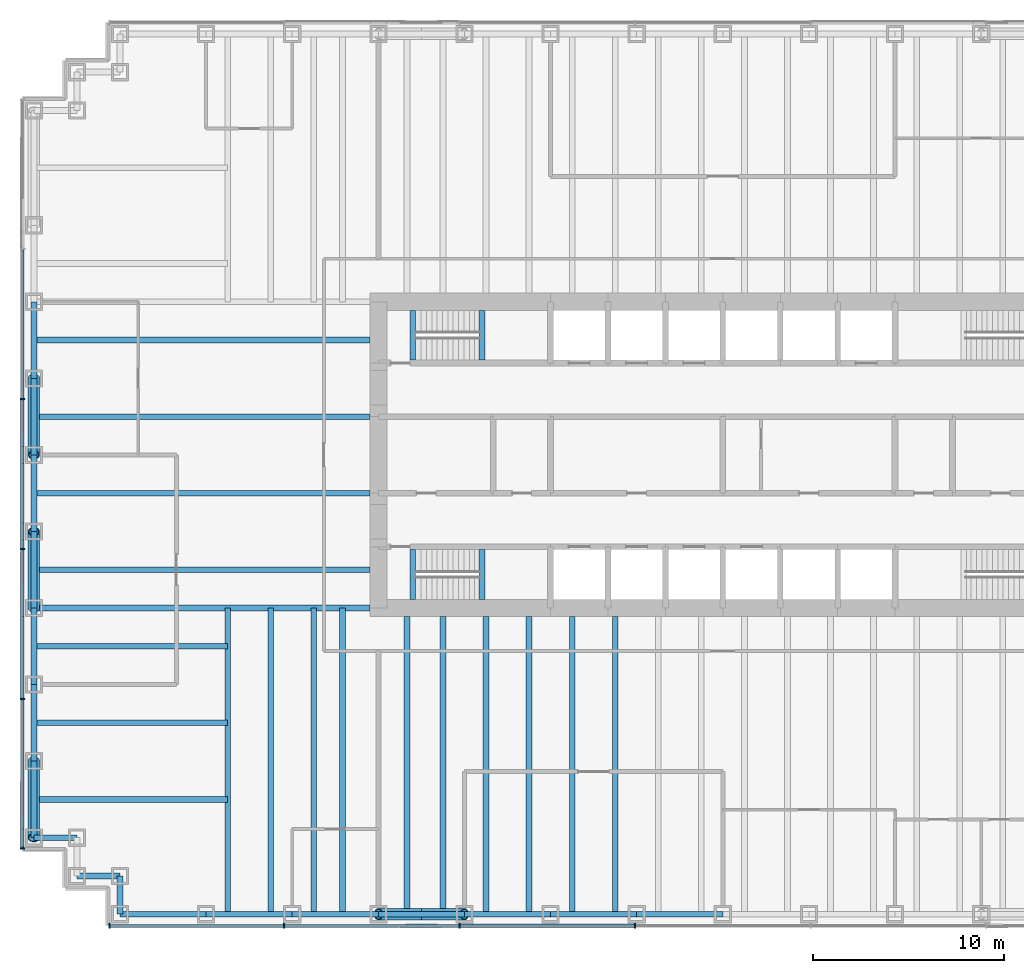
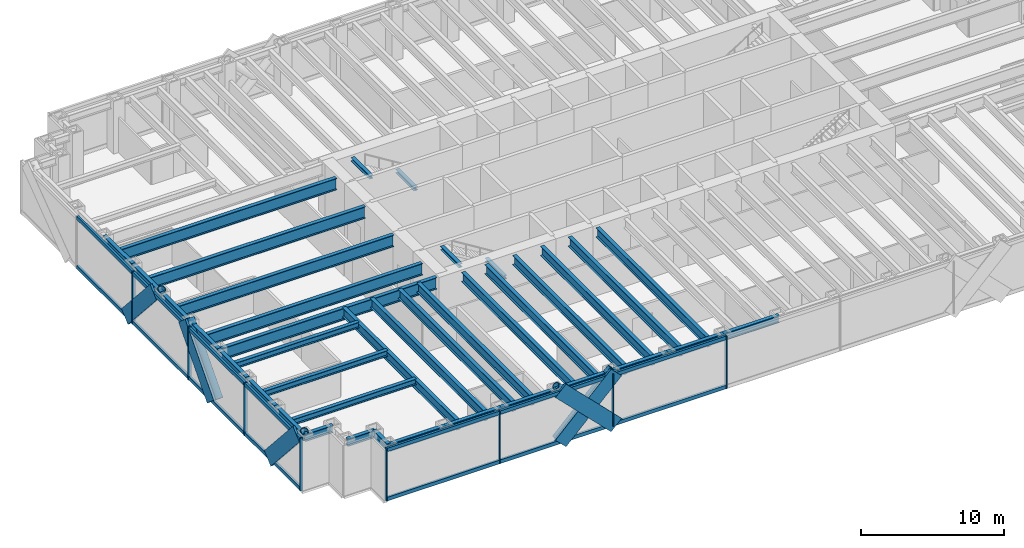
# One storey, part 2 of 13: 39 beams, 32 members, 2 elements without a shape of their own.
"""IFC4 building model written with IfcOpenShell, lengths in metres."""

from ifc_helpers import new_model, si_unit, direction, frame, origin, origin_2d, place, context, subcontext, project, spatial, rectangle, hollow_circle, i_section, extrude, material, material_profile, profile_set, type_object, element, aggregate, save


model = new_model("IFC4")

# Units and contexts
model_context = context("Model", 3, precision=1e-05, world=origin(), true_north=direction((0.0, 1.0)))
body_context = subcontext(model_context, "Body", "Model", "MODEL_VIEW")
ifc_project = project(units=[si_unit("LENGTHUNIT", "METRE"), si_unit("AREAUNIT", "SQUARE_METRE"), si_unit("VOLUMEUNIT", "CUBIC_METRE"), si_unit("PLANEANGLEUNIT", "RADIAN"), si_unit("MASSUNIT", "GRAM", prefix="KILO")], contexts=[model_context])

# Site, building, storey
site_placement = place(None, origin())
site = spatial("IfcSite", under=ifc_project, at=site_placement, CompositionType="ELEMENT")
building_placement = place(site_placement, origin())
building = spatial("IfcBuilding", under=site, at=building_placement, Name="Rheinbord Bourse Tower", CompositionType="ELEMENT")
storey_placement = place(building_placement, frame((0.0, 0.0, 77.0)))
storey = spatial("IfcBuildingStorey", under=building, at=storey_placement, Name="L16", CompositionType="ELEMENT", Elevation=77.0)

# Curtain wall, members
ifc_material_1 = material(Name="Dark glass and black aluminium", Category="aluminium")
curtain_wall_type = type_object("IfcCurtainWallType", Name="CW1 DARK GLASS CURTAIN WALL", PredefinedType="USERDEFINED", material=ifc_material_1)
curtain_wall_1_placement = place(storey_placement, origin())
curtain_wall_1 = element("IfcCurtainWall", 1, at=curtain_wall_1_placement, inside=storey, type_object=curtain_wall_type, Name="Curtain wall CW1 S L16", ObjectType="UNITISED CURTAIN WALL", PredefinedType="USERDEFINED")
ifc_material_2 = material(Name="Black anodised aluminium", Category="aluminium")
ifc_material_profile_1 = material_profile(ifc_material_2, rectangle(XDim=0.179931640625, YDim=1.2099609375, at=origin_2d()), Name="CW1 DIAGONAL MULLION 1210x180")
ifc_profile_set_1 = profile_set([ifc_material_profile_1], Name="Black anodised aluminium")
member_type_1 = type_object("IfcMemberType", Name="CW1 BLACK DIAGONAL MULLION", PredefinedType="USERDEFINED", material=ifc_profile_set_1)
member_1_placement = place(storey_placement, frame((18.0, -0.60009765625, 0.0), z_axis=(0.707106781187, 0.0, 0.707106781187), x_axis=(0.0, 1.0, 0.0)))
member_1 = element("IfcMember", 2, at=member_1_placement, type_object=member_type_1, Name="CW1 diagonal mullion b", ObjectType="DIAGONAL MULLION", PredefinedType="USERDEFINED", context=body_context, shape_type="SweptSolid", body=[
    extrude(rectangle(XDim=0.179931640625, YDim=1.2099609375, at=origin_2d()), origin(), (0.0, 0.0, 1.0), 6.364013671875),
])
member_2_placement = place(storey_placement, frame((22.5, -0.60009765625, 0.0), z_axis=(-0.707106781187, 0.0, 0.707106781187), x_axis=(0.0, -1.0, 0.0)))
member_2 = element("IfcMember", 3, at=member_2_placement, type_object=member_type_1, Name="CW1 diagonal mullion c", ObjectType="DIAGONAL MULLION", PredefinedType="USERDEFINED", context=body_context, shape_type="SweptSolid", body=[
    extrude(rectangle(XDim=0.179931640625, YDim=1.2099609375, at=origin_2d()), origin(), (0.0, 0.0, 1.0), 6.364013671875),
])

curtain_wall_2_placement = place(storey_placement, origin())
curtain_wall_2 = element("IfcCurtainWall", 4, at=curtain_wall_2_placement, inside=storey, type_object=curtain_wall_type, Name="Curtain wall CW1 W L16", ObjectType="UNITISED CURTAIN WALL", PredefinedType="USERDEFINED")
member_3_placement = place(storey_placement, frame((-0.60009765625, 8.0, 0.0), z_axis=(0.0, -0.66436383883, 0.747409318684), x_axis=(1.0, 0.0, 0.0)))
member_3 = element("IfcMember", 5, at=member_3_placement, type_object=member_type_1, Name="CW1 diagonal mullion a", ObjectType="DIAGONAL MULLION", PredefinedType="USERDEFINED", context=body_context, shape_type="SweptSolid", body=[
    extrude(rectangle(XDim=0.179931640625, YDim=1.2099609375, at=origin_2d()), origin(), (0.0, 0.0, 1.0), 6.020751953125),
])
member_4_placement = place(storey_placement, frame((-0.60009765625, 16.0, 0.0), z_axis=(0.0, 0.66436383883, 0.747409318684), x_axis=(-1.0, 0.0, 0.0)))
member_4 = element("IfcMember", 6, at=member_4_placement, type_object=member_type_1, Name="CW1 diagonal mullion c", ObjectType="DIAGONAL MULLION", PredefinedType="USERDEFINED", context=body_context, shape_type="SweptSolid", body=[
    extrude(rectangle(XDim=0.179931640625, YDim=1.2099609375, at=origin_2d()), origin(), (0.0, 0.0, 1.0), 6.020751953125),
])
member_5_placement = place(storey_placement, frame((-0.60009765625, 28.0, 0.0), z_axis=(0.0, -0.66436383883, 0.747409318684), x_axis=(1.0, 0.0, 0.0)))
member_5 = element("IfcMember", 7, at=member_5_placement, type_object=member_type_1, Name="CW1 diagonal mullion d", ObjectType="DIAGONAL MULLION", PredefinedType="USERDEFINED", context=body_context, shape_type="SweptSolid", body=[
    extrude(rectangle(XDim=0.179931640625, YDim=1.2099609375, at=origin_2d()), origin(), (0.0, 0.0, 1.0), 6.020751953125),
])

# Member
ifc_material_3 = material(Name="Black anodised aluminium", Category="aluminium")
ifc_material_profile_2 = material_profile(ifc_material_3, rectangle(XDim=0.25, YDim=0.080078125, at=origin_2d()), Name="CW1 MULLION 80x250")
ifc_profile_set_2 = profile_set([ifc_material_profile_2], Name="Black anodised aluminium")
member_type_2 = type_object("IfcMemberType", Name="CW1 BLACK MULLION", PredefinedType="MULLION", material=ifc_profile_set_2)
member_6_placement = place(storey_placement, frame((3.93994140625, -0.60009765625, 0.0), z_axis=(0.0, 0.0, 1.0), x_axis=(0.0, 1.0, 0.0)))
member_6 = element("IfcMember", 8, at=member_6_placement, type_object=member_type_2, Name="CW1 mullion 1", PredefinedType="MULLION", context=body_context, shape_type="SweptSolid", body=[
    extrude(rectangle(XDim=0.25, YDim=0.080078125, at=origin_2d()), origin(), (0.0, 0.0, 1.0), 4.5),
])

member_7_placement = place(storey_placement, frame((13.071533203125, -0.60009765625, 0.0), z_axis=(0.0, 0.0, 1.0), x_axis=(0.0, 1.0, 0.0)))
member_7 = element("IfcMember", 9, at=member_7_placement, type_object=member_type_2, Name="CW1 mullion 2", PredefinedType="MULLION", context=body_context, shape_type="SweptSolid", body=[
    extrude(rectangle(XDim=0.25, YDim=0.080078125, at=origin_2d()), origin(), (0.0, 0.0, 1.0), 4.5),
])

member_8_placement = place(storey_placement, frame((22.242919921875, -0.60009765625, 0.0), z_axis=(0.0, 0.0, 1.0), x_axis=(0.0, 1.0, 0.0)))
member_8 = element("IfcMember", 10, at=member_8_placement, type_object=member_type_2, Name="CW1 mullion 3", PredefinedType="MULLION", context=body_context, shape_type="SweptSolid", body=[
    extrude(rectangle(XDim=0.25, YDim=0.080078125, at=origin_2d()), origin(), (0.0, 0.0, 1.0), 4.5),
])

member_9_placement = place(storey_placement, frame((31.414306640625, -0.60009765625, 0.0), z_axis=(0.0, 0.0, 1.0), x_axis=(0.0, 1.0, 0.0)))
member_9 = element("IfcMember", 11, at=member_9_placement, type_object=member_type_2, Name="CW1 mullion 4", PredefinedType="MULLION", context=body_context, shape_type="SweptSolid", body=[
    extrude(rectangle(XDim=0.25, YDim=0.080078125, at=origin_2d()), origin(), (0.0, 0.0, 1.0), 4.5),
])

member_10_placement = place(storey_placement, frame((-0.60009765625, 26.919921875, 0.0), z_axis=(0.0, 0.0, 1.0), x_axis=(1.0, 0.0, 0.0)))
member_10 = element("IfcMember", 12, at=member_10_placement, type_object=member_type_2, Name="CW1 mullion 3", PredefinedType="MULLION", context=body_context, shape_type="SweptSolid", body=[
    extrude(rectangle(XDim=0.25, YDim=0.080078125, at=origin_2d()), origin(), (0.0, 0.0, 1.0), 4.5),
])

member_11_placement = place(storey_placement, frame((-0.60009765625, 19.080078125, 0.0), z_axis=(0.0, 0.0, 1.0), x_axis=(1.0, 0.0, 0.0)))
member_11 = element("IfcMember", 13, at=member_11_placement, type_object=member_type_2, Name="CW1 mullion 4", PredefinedType="MULLION", context=body_context, shape_type="SweptSolid", body=[
    extrude(rectangle(XDim=0.25, YDim=0.080078125, at=origin_2d()), origin(), (0.0, 0.0, 1.0), 4.5),
])

member_12_placement = place(storey_placement, frame((-0.60009765625, 11.239990234375, 0.0), z_axis=(0.0, 0.0, 1.0), x_axis=(1.0, 0.0, 0.0)))
member_12 = element("IfcMember", 14, at=member_12_placement, type_object=member_type_2, Name="CW1 mullion 5", PredefinedType="MULLION", context=body_context, shape_type="SweptSolid", body=[
    extrude(rectangle(XDim=0.25, YDim=0.080078125, at=origin_2d()), origin(), (0.0, 0.0, 1.0), 4.5),
])

member_13_placement = place(storey_placement, frame((-0.60009765625, 3.43994140625, 0.0), z_axis=(0.0, 0.0, 1.0), x_axis=(1.0, 0.0, 0.0)))
member_13 = element("IfcMember", 15, at=member_13_placement, type_object=member_type_2, Name="CW1 mullion 6", PredefinedType="MULLION", context=body_context, shape_type="SweptSolid", body=[
    extrude(rectangle(XDim=0.25, YDim=0.080078125, at=origin_2d()), origin(), (0.0, 0.0, 1.0), 4.5),
])

ifc_material_4 = material(Name="Black anodised aluminium", Category="aluminium")
ifc_material_profile_3 = material_profile(ifc_material_4, rectangle(XDim=0.179931640625, YDim=0.300048828125, at=origin_2d()), Name="CW1 TRANSOM 300x180")
ifc_profile_set_3 = profile_set([ifc_material_profile_3], Name="Black anodised aluminium")
member_type_3 = type_object("IfcMemberType", Name="CW1 BLACK TRANSOM", PredefinedType="USERDEFINED", material=ifc_profile_set_3)
member_14_placement = place(storey_placement, frame((3.97998046875, -0.60009765625, 0.14990234375), z_axis=(1.0, 0.0, 0.0), x_axis=(0.0, 1.0, 0.0)))
member_14 = element("IfcMember", 16, at=member_14_placement, type_object=member_type_3, Name="CW1 transom 1.1", ObjectType="TRANSOM", PredefinedType="USERDEFINED", context=body_context, shape_type="SweptSolid", body=[
    extrude(rectangle(XDim=0.179931640625, YDim=0.300048828125, at=origin_2d()), origin(), (0.0, 0.0, 1.0), 9.051513671875),
])

member_15_placement = place(storey_placement, frame((3.97998046875, -0.60009765625, 4.35009765625), z_axis=(1.0, 0.0, 0.0), x_axis=(0.0, 1.0, 0.0)))
member_15 = element("IfcMember", 17, at=member_15_placement, type_object=member_type_3, Name="CW1 transom 1.2", ObjectType="TRANSOM", PredefinedType="USERDEFINED", context=body_context, shape_type="SweptSolid", body=[
    extrude(rectangle(XDim=0.179931640625, YDim=0.300048828125, at=origin_2d()), origin(), (0.0, 0.0, 1.0), 9.051513671875),
])

member_16_placement = place(storey_placement, frame((13.111328125, -0.60009765625, 0.14990234375), z_axis=(1.0, 0.0, 0.0), x_axis=(0.0, 1.0, 0.0)))
member_16 = element("IfcMember", 18, at=member_16_placement, type_object=member_type_3, Name="CW1 transom 2.1", ObjectType="TRANSOM", PredefinedType="USERDEFINED", context=body_context, shape_type="SweptSolid", body=[
    extrude(rectangle(XDim=0.179931640625, YDim=0.300048828125, at=origin_2d()), origin(), (0.0, 0.0, 1.0), 9.091552734375),
])

member_17_placement = place(storey_placement, frame((13.111328125, -0.60009765625, 4.35009765625), z_axis=(1.0, 0.0, 0.0), x_axis=(0.0, 1.0, 0.0)))
member_17 = element("IfcMember", 19, at=member_17_placement, type_object=member_type_3, Name="CW1 transom 2.2", ObjectType="TRANSOM", PredefinedType="USERDEFINED", context=body_context, shape_type="SweptSolid", body=[
    extrude(rectangle(XDim=0.179931640625, YDim=0.300048828125, at=origin_2d()), origin(), (0.0, 0.0, 1.0), 9.091552734375),
])

member_18_placement = place(storey_placement, frame((22.282958984375, -0.60009765625, 0.14990234375), z_axis=(1.0, 0.0, 0.0), x_axis=(0.0, 1.0, 0.0)))
member_18 = element("IfcMember", 20, at=member_18_placement, type_object=member_type_3, Name="CW1 transom 3.1", ObjectType="TRANSOM", PredefinedType="USERDEFINED", context=body_context, shape_type="SweptSolid", body=[
    extrude(rectangle(XDim=0.179931640625, YDim=0.300048828125, at=origin_2d()), origin(), (0.0, 0.0, 1.0), 9.09130859375),
])

member_19_placement = place(storey_placement, frame((22.282958984375, -0.60009765625, 4.35009765625), z_axis=(1.0, 0.0, 0.0), x_axis=(0.0, 1.0, 0.0)))
member_19 = element("IfcMember", 21, at=member_19_placement, type_object=member_type_3, Name="CW1 transom 3.2", ObjectType="TRANSOM", PredefinedType="USERDEFINED", context=body_context, shape_type="SweptSolid", body=[
    extrude(rectangle(XDim=0.179931640625, YDim=0.300048828125, at=origin_2d()), origin(), (0.0, 0.0, 1.0), 9.09130859375),
])

aggregate(curtain_wall_1, [member_6, member_7, member_8, member_9, member_14, member_15, member_16, member_17, member_18, member_19, member_1, member_2])

member_20_placement = place(storey_placement, frame((-0.60009765625, 34.719970703125, 0.14990234375), z_axis=(0.0, -1.0, 0.0), x_axis=(1.0, 0.0, 0.0)))
member_20 = element("IfcMember", 22, at=member_20_placement, type_object=member_type_3, Name="CW1 transom 2.1", ObjectType="TRANSOM", PredefinedType="USERDEFINED", context=body_context, shape_type="SweptSolid", body=[
    extrude(rectangle(XDim=0.179931640625, YDim=0.300048828125, at=origin_2d()), origin(), (0.0, 0.0, 1.0), 7.760009765625),
])

member_21_placement = place(storey_placement, frame((-0.60009765625, 34.719970703125, 4.35009765625), z_axis=(0.0, -1.0, 0.0), x_axis=(1.0, 0.0, 0.0)))
member_21 = element("IfcMember", 23, at=member_21_placement, type_object=member_type_3, Name="CW1 transom 2.2", ObjectType="TRANSOM", PredefinedType="USERDEFINED", context=body_context, shape_type="SweptSolid", body=[
    extrude(rectangle(XDim=0.179931640625, YDim=0.300048828125, at=origin_2d()), origin(), (0.0, 0.0, 1.0), 7.760009765625),
])

member_22_placement = place(storey_placement, frame((-0.60009765625, 26.8798828125, 0.14990234375), z_axis=(0.0, -1.0, 0.0), x_axis=(1.0, 0.0, 0.0)))
member_22 = element("IfcMember", 24, at=member_22_placement, type_object=member_type_3, Name="CW1 transom 3.1", ObjectType="TRANSOM", PredefinedType="USERDEFINED", context=body_context, shape_type="SweptSolid", body=[
    extrude(rectangle(XDim=0.179931640625, YDim=0.300048828125, at=origin_2d()), origin(), (0.0, 0.0, 1.0), 7.759765625),
])

member_23_placement = place(storey_placement, frame((-0.60009765625, 26.8798828125, 4.35009765625), z_axis=(0.0, -1.0, 0.0), x_axis=(1.0, 0.0, 0.0)))
member_23 = element("IfcMember", 25, at=member_23_placement, type_object=member_type_3, Name="CW1 transom 3.2", ObjectType="TRANSOM", PredefinedType="USERDEFINED", context=body_context, shape_type="SweptSolid", body=[
    extrude(rectangle(XDim=0.179931640625, YDim=0.300048828125, at=origin_2d()), origin(), (0.0, 0.0, 1.0), 7.759765625),
])

member_24_placement = place(storey_placement, frame((-0.60009765625, 19.0400390625, 0.14990234375), z_axis=(0.0, -1.0, 0.0), x_axis=(1.0, 0.0, 0.0)))
member_24 = element("IfcMember", 26, at=member_24_placement, type_object=member_type_3, Name="CW1 transom 4.1", ObjectType="TRANSOM", PredefinedType="USERDEFINED", context=body_context, shape_type="SweptSolid", body=[
    extrude(rectangle(XDim=0.179931640625, YDim=0.300048828125, at=origin_2d()), origin(), (0.0, 0.0, 1.0), 7.760009765625),
])

member_25_placement = place(storey_placement, frame((-0.60009765625, 19.0400390625, 4.35009765625), z_axis=(0.0, -1.0, 0.0), x_axis=(1.0, 0.0, 0.0)))
member_25 = element("IfcMember", 27, at=member_25_placement, type_object=member_type_3, Name="CW1 transom 4.2", ObjectType="TRANSOM", PredefinedType="USERDEFINED", context=body_context, shape_type="SweptSolid", body=[
    extrude(rectangle(XDim=0.179931640625, YDim=0.300048828125, at=origin_2d()), origin(), (0.0, 0.0, 1.0), 7.760009765625),
])

member_26_placement = place(storey_placement, frame((-0.60009765625, 11.199951171875, 0.14990234375), z_axis=(0.0, -1.0, 0.0), x_axis=(1.0, 0.0, 0.0)))
member_26 = element("IfcMember", 28, at=member_26_placement, type_object=member_type_3, Name="CW1 transom 5.1", ObjectType="TRANSOM", PredefinedType="USERDEFINED", context=body_context, shape_type="SweptSolid", body=[
    extrude(rectangle(XDim=0.179931640625, YDim=0.300048828125, at=origin_2d()), origin(), (0.0, 0.0, 1.0), 7.719970703125),
])

member_27_placement = place(storey_placement, frame((-0.60009765625, 11.199951171875, 4.35009765625), z_axis=(0.0, -1.0, 0.0), x_axis=(1.0, 0.0, 0.0)))
member_27 = element("IfcMember", 29, at=member_27_placement, type_object=member_type_3, Name="CW1 transom 5.2", ObjectType="TRANSOM", PredefinedType="USERDEFINED", context=body_context, shape_type="SweptSolid", body=[
    extrude(rectangle(XDim=0.179931640625, YDim=0.300048828125, at=origin_2d()), origin(), (0.0, 0.0, 1.0), 7.719970703125),
])

aggregate(curtain_wall_2, [member_10, member_11, member_12, member_13, member_20, member_21, member_22, member_23, member_24, member_25, member_26, member_27, member_3, member_4, member_5])

# Beams
ifc_material_5 = material(Name="Steel S460", Category="steel")
ifc_material_profile_4 = material_profile(ifc_material_5, i_section(OverallWidth=0.302001953125, OverallDepth=1.008056640625, WebThickness=0.02099609375, FlangeThickness=0.0400390625, at=origin_2d()), Name="HEM 1000")
ifc_profile_set_4 = profile_set([ifc_material_profile_4], Name="Steel S460")
beam_type_1 = type_object("IfcBeamType", Name="END BEAM HEM 1000", PredefinedType="BEAM", material=ifc_profile_set_4)
for number, where, z_axis, x_axis, name in (
    (30, (0.0, 18.0, 3.81591796875), (1.0, 0.0, 0.0), (0.0, 1.0, 0.0), "End beam west 18 L17"),
    (31, (0.0, 22.0, 3.81591796875), (1.0, 0.0, 0.0), (0.0, 1.0, 0.0), "End beam west 22 L17"),
    (32, (0.0, 26.0, 3.81591796875), (1.0, 0.0, 0.0), (0.0, 1.0, 0.0), "End beam west 26 L17"),
    (33, (0.0, 30.0, 3.81591796875), (1.0, 0.0, 0.0), (0.0, 1.0, 0.0), "End beam west 30 L17"),
):
    element("IfcBeam", number, at=place(storey_placement, frame(where, z_axis=z_axis, x_axis=x_axis)), inside=storey, type_object=beam_type_1, Name=name, PredefinedType="BEAM", context=body_context, shape_type="SweptSolid", body=[
        extrude(i_section(OverallWidth=0.302001953125, OverallDepth=1.008056640625, WebThickness=0.02099609375, FlangeThickness=0.0400390625, at=origin_2d()), origin(), (0.0, 0.0, 1.0), 17.550048828125),
    ])
ifc_material_6 = material(Name="Steel S460", Category="steel")
ifc_material_profile_5 = material_profile(ifc_material_6, i_section(OverallWidth=0.300048828125, OverallDepth=0.800048828125, WebThickness=0.017578125, FlangeThickness=0.032958984375, at=origin_2d()), Name="HEB 800")
ifc_profile_set_5 = profile_set([ifc_material_profile_5], Name="Steel S460")
beam_type_2 = type_object("IfcBeamType", Name="FLOOR BEAM HEB 800", PredefinedType="BEAM", material=ifc_profile_set_5)
for number, where, z_axis, x_axis, name in (
    (34, (10.125, 0.0, 3.919921875), (0.0, 1.0, 0.0), (-1.0, 0.0, 0.0), "Floor beam S-9a L17"),
    (35, (12.375, 0.0, 3.919921875), (0.0, 1.0, 0.0), (-1.0, 0.0, 0.0), "Floor beam S-9b L17"),
    (36, (14.625, 0.0, 3.919921875), (0.0, 1.0, 0.0), (-1.0, 0.0, 0.0), "Floor beam S-13.5a L17"),
    (37, (16.125, 0.0, 3.919921875), (0.0, 1.0, 0.0), (-1.0, 0.0, 0.0), "Floor beam S-13.5b L17"),
):
    element("IfcBeam", number, at=place(storey_placement, frame(where, z_axis=z_axis, x_axis=x_axis)), inside=storey, type_object=beam_type_2, Name=name, PredefinedType="BEAM", context=body_context, shape_type="SweptSolid", body=[
        extrude(i_section(OverallWidth=0.300048828125, OverallDepth=0.800048828125, WebThickness=0.017578125, FlangeThickness=0.032958984375, at=origin_2d()), origin(), (0.0, 0.0, 1.0), 16.0),
    ])
for number, where, z_axis, x_axis, name in (
    (38, (19.5, 0.0, 3.919921875), (0.0, 1.0, 0.0), (-1.0, 0.0, 0.0), "Floor beam S-18a L17"),
    (39, (21.375, 0.0, 3.919921875), (0.0, 1.0, 0.0), (-1.0, 0.0, 0.0), "Floor beam S-18b L17"),
    (40, (23.625, 0.0, 3.919921875), (0.0, 1.0, 0.0), (-1.0, 0.0, 0.0), "Floor beam S-22.5a L17"),
    (41, (25.875, 0.0, 3.919921875), (0.0, 1.0, 0.0), (-1.0, 0.0, 0.0), "Floor beam S-22.5b L17"),
    (42, (28.125, 0.0, 3.919921875), (0.0, 1.0, 0.0), (-1.0, 0.0, 0.0), "Floor beam S-27a L17"),
    (43, (30.375, 0.0, 3.919921875), (0.0, 1.0, 0.0), (-1.0, 0.0, 0.0), "Floor beam S-27b L17"),
):
    element("IfcBeam", number, at=place(storey_placement, frame(where, z_axis=z_axis, x_axis=x_axis)), inside=storey, type_object=beam_type_2, Name=name, PredefinedType="BEAM", context=body_context, shape_type="SweptSolid", body=[
        extrude(i_section(OverallWidth=0.300048828125, OverallDepth=0.800048828125, WebThickness=0.017578125, FlangeThickness=0.032958984375, at=origin_2d()), origin(), (0.0, 0.0, 1.0), 15.550048828125),
    ])
ifc_material_7 = material(Name="Steel S460", Category="steel")
ifc_material_profile_6 = material_profile(ifc_material_7, i_section(OverallWidth=0.302001953125, OverallDepth=1.008056640625, WebThickness=0.02099609375, FlangeThickness=0.0400390625, at=origin_2d()), Name="HEM 1000")
ifc_profile_set_6 = profile_set([ifc_material_profile_6], Name="Steel S460")
beam_type_3 = type_object("IfcBeamType", Name="GIRDER HEM 1000", PredefinedType="BEAM", material=ifc_profile_set_6)
beam_1_placement = place(storey_placement, frame((0.0, 16.0, 3.81591796875), z_axis=(1.0, 0.0, 0.0), x_axis=(0.0, 1.0, 0.0)))
element("IfcBeam", 44, at=beam_1_placement, inside=storey, type_object=beam_type_3, Name="Girder west 16 L17", PredefinedType="BEAM", context=body_context, shape_type="SweptSolid", body=[
    extrude(i_section(OverallWidth=0.302001953125, OverallDepth=1.008056640625, WebThickness=0.02099609375, FlangeThickness=0.0400390625, at=origin_2d()), origin(), (0.0, 0.0, 1.0), 17.550048828125),
])
ifc_material_8 = material(Name="Steel S460", Category="steel")
ifc_material_profile_7 = material_profile(ifc_material_8, i_section(OverallWidth=0.300048828125, OverallDepth=0.300048828125, WebThickness=0.010986328125, FlangeThickness=0.01904296875, at=origin_2d()), Name="HEB 300")
ifc_profile_set_7 = profile_set([ifc_material_profile_7], Name="Steel S460")
beam_type_4 = type_object("IfcBeamType", Name="LANDING TRIMMER HEB 300", PredefinedType="BEAM", material=ifc_profile_set_7)
for number, where, z_axis, x_axis, name in (
    (45, (23.409912109375, 16.449951171875, 1.89990234375), (0.0, 1.0, 0.0), (-1.0, 0.0, 0.0), "Landing trimmer ST1 L16"),
    (46, (19.800048828125, 16.449951171875, 4.169921875), (0.0, 1.0, 0.0), (-1.0, 0.0, 0.0), "Well trimmer ST1 under L17"),
    (47, (23.409912109375, 28.949951171875, 1.89990234375), (0.0, 1.0, 0.0), (-1.0, 0.0, 0.0), "Landing trimmer ST2 L16"),
    (48, (19.800048828125, 28.949951171875, 4.169921875), (0.0, 1.0, 0.0), (-1.0, 0.0, 0.0), "Well trimmer ST2 under L17"),
):
    element("IfcBeam", number, at=place(storey_placement, frame(where, z_axis=z_axis, x_axis=x_axis)), inside=storey, type_object=beam_type_4, Name=name, PredefinedType="BEAM", context=body_context, shape_type="SweptSolid", body=[
        extrude(i_section(OverallWidth=0.300048828125, OverallDepth=0.300048828125, WebThickness=0.010986328125, FlangeThickness=0.01904296875, at=origin_2d()), origin(), (0.0, 0.0, 1.0), 2.60009765625),
    ])

# Members
ifc_material_9 = material(Name="Steel S460", Category="steel")
ifc_material_profile_8 = material_profile(ifc_material_9, hollow_circle(Radius=0.304931640625, WallThickness=0.050048828125, at=origin_2d()), Name="CHS 610x50")
ifc_profile_set_8 = profile_set([ifc_material_profile_8], Name="Steel S460")
member_type_4 = type_object("IfcMemberType", Name="MEGABRACE CHS 610x50", PredefinedType="BRACE", material=ifc_profile_set_8)
for number, where, z_axis, x_axis, name in (
    (49, (18.0, 0.0, 0.0), (0.707106781187, 0.0, 0.707106781187), (0.0, 1.0, 0.0), "Megabrace S face line b L16"),
    (50, (22.5, 0.0, 0.0), (-0.707106781187, 0.0, 0.707106781187), (0.0, -1.0, 0.0), "Megabrace S face line c L16"),
):
    element("IfcMember", number, at=place(storey_placement, frame(where, z_axis=z_axis, x_axis=x_axis)), inside=storey, type_object=member_type_4, Name=name, PredefinedType="BRACE", context=body_context, shape_type="SweptSolid", body=[
        extrude(hollow_circle(Radius=0.304931640625, WallThickness=0.050048828125, at=origin_2d()), origin(), (0.0, 0.0, 1.0), 6.364013671875),
    ])
for number, where, z_axis, x_axis, name in (
    (51, (0.0, 8.0, 0.0), (0.0, -0.66436383883, 0.747409318684), (1.0, 0.0, 0.0), "Megabrace W face line a L16"),
    (52, (0.0, 16.0, 0.0), (0.0, 0.66436383883, 0.747409318684), (-1.0, 0.0, 0.0), "Megabrace W face line c L16"),
    (53, (0.0, 28.0, 0.0), (0.0, -0.66436383883, 0.747409318684), (1.0, 0.0, 0.0), "Megabrace W face line d L16"),
):
    element("IfcMember", number, at=place(storey_placement, frame(where, z_axis=z_axis, x_axis=x_axis)), inside=storey, type_object=member_type_4, Name=name, PredefinedType="BRACE", context=body_context, shape_type="SweptSolid", body=[
        extrude(hollow_circle(Radius=0.304931640625, WallThickness=0.050048828125, at=origin_2d()), origin(), (0.0, 0.0, 1.0), 6.020751953125),
    ])

# Beams
ifc_material_10 = material(Name="Steel S460", Category="steel")
ifc_material_profile_9 = material_profile(ifc_material_10, i_section(OverallWidth=0.304931640625, OverallDepth=0.6201171875, WebThickness=0.02099609375, FlangeThickness=0.0400390625, at=origin_2d()), Name="HEM 600")
ifc_profile_set_9 = profile_set([ifc_material_profile_9], Name="Steel S460")
beam_type_5 = type_object("IfcBeamType", Name="SPANDREL HEM 600", PredefinedType="SPANDREL", material=ifc_profile_set_9)
for number, where, z_axis, x_axis, name in (
    (54, (4.5, 0.0, 4.010009765625), (1.0, 0.0, 0.0), (0.0, 1.0, 0.0), "Spandrel SW-E-S-9 under L17"),
    (55, (9.0, 0.0, 4.010009765625), (1.0, 0.0, 0.0), (0.0, 1.0, 0.0), "Spandrel S-9-S-13.5 under L17"),
    (56, (13.5, 0.0, 4.010009765625), (1.0, 0.0, 0.0), (0.0, 1.0, 0.0), "Spandrel S-13.5-S-18 under L17"),
    (57, (18.0, 0.0, 4.010009765625), (1.0, 0.0, 0.0), (0.0, 1.0, 0.0), "Spandrel S-18-S-22.5 under L17"),
    (58, (22.5, 0.0, 4.010009765625), (1.0, 0.0, 0.0), (0.0, 1.0, 0.0), "Spandrel S-22.5-S-27 under L17"),
    (59, (27.0, 0.0, 4.010009765625), (1.0, 0.0, 0.0), (0.0, 1.0, 0.0), "Spandrel S-27-S-31.5 under L17"),
    (60, (31.5, 0.0, 4.010009765625), (1.0, 0.0, 0.0), (0.0, 1.0, 0.0), "Spandrel S-31.5-S-36 under L17"),
):
    element("IfcBeam", number, at=place(storey_placement, frame(where, z_axis=z_axis, x_axis=x_axis)), inside=storey, type_object=beam_type_5, Name=name, PredefinedType="SPANDREL", context=body_context, shape_type="SweptSolid", body=[
        extrude(i_section(OverallWidth=0.304931640625, OverallDepth=0.6201171875, WebThickness=0.02099609375, FlangeThickness=0.0400390625, at=origin_2d()), origin(), (0.0, 0.0, 1.0), 4.5),
    ])
for number, where, z_axis, x_axis, name in (
    (61, (0.0, 32.0, 4.010009765625), (0.0, -1.0, 0.0), (1.0, 0.0, 0.0), "Spandrel W-32-W-28 under L17"),
    (62, (0.0, 28.0, 4.010009765625), (0.0, -1.0, 0.0), (1.0, 0.0, 0.0), "Spandrel W-28-W-24 under L17"),
    (63, (0.0, 24.0, 4.010009765625), (0.0, -1.0, 0.0), (1.0, 0.0, 0.0), "Spandrel W-24-W-20 under L17"),
    (64, (0.0, 20.0, 4.010009765625), (0.0, -1.0, 0.0), (1.0, 0.0, 0.0), "Spandrel W-20-W-16 under L17"),
    (65, (0.0, 16.0, 4.010009765625), (0.0, -1.0, 0.0), (1.0, 0.0, 0.0), "Spandrel W-16-W-12 under L17"),
    (66, (0.0, 12.0, 4.010009765625), (0.0, -1.0, 0.0), (1.0, 0.0, 0.0), "Spandrel W-12-W-8 under L17"),
    (67, (0.0, 8.0, 4.010009765625), (0.0, -1.0, 0.0), (1.0, 0.0, 0.0), "Spandrel W-8-SW-A under L17"),
):
    element("IfcBeam", number, at=place(storey_placement, frame(where, z_axis=z_axis, x_axis=x_axis)), inside=storey, type_object=beam_type_5, Name=name, PredefinedType="SPANDREL", context=body_context, shape_type="SweptSolid", body=[
        extrude(i_section(OverallWidth=0.304931640625, OverallDepth=0.6201171875, WebThickness=0.02099609375, FlangeThickness=0.0400390625, at=origin_2d()), origin(), (0.0, 0.0, 1.0), 4.0),
    ])
for number, where, z_axis, x_axis, name in (
    (68, (0.0, 4.0, 4.010009765625), (1.0, 0.0, 0.0), (0.0, 1.0, 0.0), "Spandrel SW-A-SW-B under L17"),
    (69, (2.25, 2.0, 4.010009765625), (1.0, 0.0, 0.0), (0.0, 1.0, 0.0), "Spandrel SW-C-SW-D under L17"),
):
    element("IfcBeam", number, at=place(storey_placement, frame(where, z_axis=z_axis, x_axis=x_axis)), inside=storey, type_object=beam_type_5, Name=name, PredefinedType="SPANDREL", context=body_context, shape_type="SweptSolid", body=[
        extrude(i_section(OverallWidth=0.304931640625, OverallDepth=0.6201171875, WebThickness=0.02099609375, FlangeThickness=0.0400390625, at=origin_2d()), origin(), (0.0, 0.0, 1.0), 2.25),
    ])
beam_2_placement = place(storey_placement, frame((4.5, 2.0, 4.010009765625), z_axis=(0.0, -1.0, 0.0), x_axis=(1.0, 0.0, 0.0)))
element("IfcBeam", 70, at=beam_2_placement, inside=storey, type_object=beam_type_5, Name="Spandrel SW-D-SW-E under L17", PredefinedType="SPANDREL", context=body_context, shape_type="SweptSolid", body=[
    extrude(i_section(OverallWidth=0.304931640625, OverallDepth=0.6201171875, WebThickness=0.02099609375, FlangeThickness=0.0400390625, at=origin_2d()), origin(), (0.0, 0.0, 1.0), 2.0),
])
ifc_material_11 = material(Name="Steel S460", Category="steel")
ifc_material_profile_10 = material_profile(ifc_material_11, i_section(OverallWidth=0.300048828125, OverallDepth=0.5, WebThickness=0.014404296875, FlangeThickness=0.028076171875, at=origin_2d()), Name="HEB 500")
ifc_profile_set_10 = profile_set([ifc_material_profile_10], Name="Steel S460")
beam_type_6 = type_object("IfcBeamType", Name="TIE BEAM HEB 500", PredefinedType="JOIST", material=ifc_profile_set_10)
for number, where, z_axis, x_axis, name in (
    (71, (0.0, 6.0, 4.070068359375), (1.0, 0.0, 0.0), (0.0, 1.0, 0.0), "Tie west 6 L17"),
    (72, (0.0, 10.0, 4.070068359375), (1.0, 0.0, 0.0), (0.0, 1.0, 0.0), "Tie west 10 L17"),
    (73, (0.0, 14.0, 4.070068359375), (1.0, 0.0, 0.0), (0.0, 1.0, 0.0), "Tie west 14 L17"),
):
    element("IfcBeam", number, at=place(storey_placement, frame(where, z_axis=z_axis, x_axis=x_axis)), inside=storey, type_object=beam_type_6, Name=name, PredefinedType="JOIST", context=body_context, shape_type="SweptSolid", body=[
        extrude(i_section(OverallWidth=0.300048828125, OverallDepth=0.5, WebThickness=0.014404296875, FlangeThickness=0.028076171875, at=origin_2d()), origin(), (0.0, 0.0, 1.0), 10.125),
    ])

save(model, "model.ifc")
